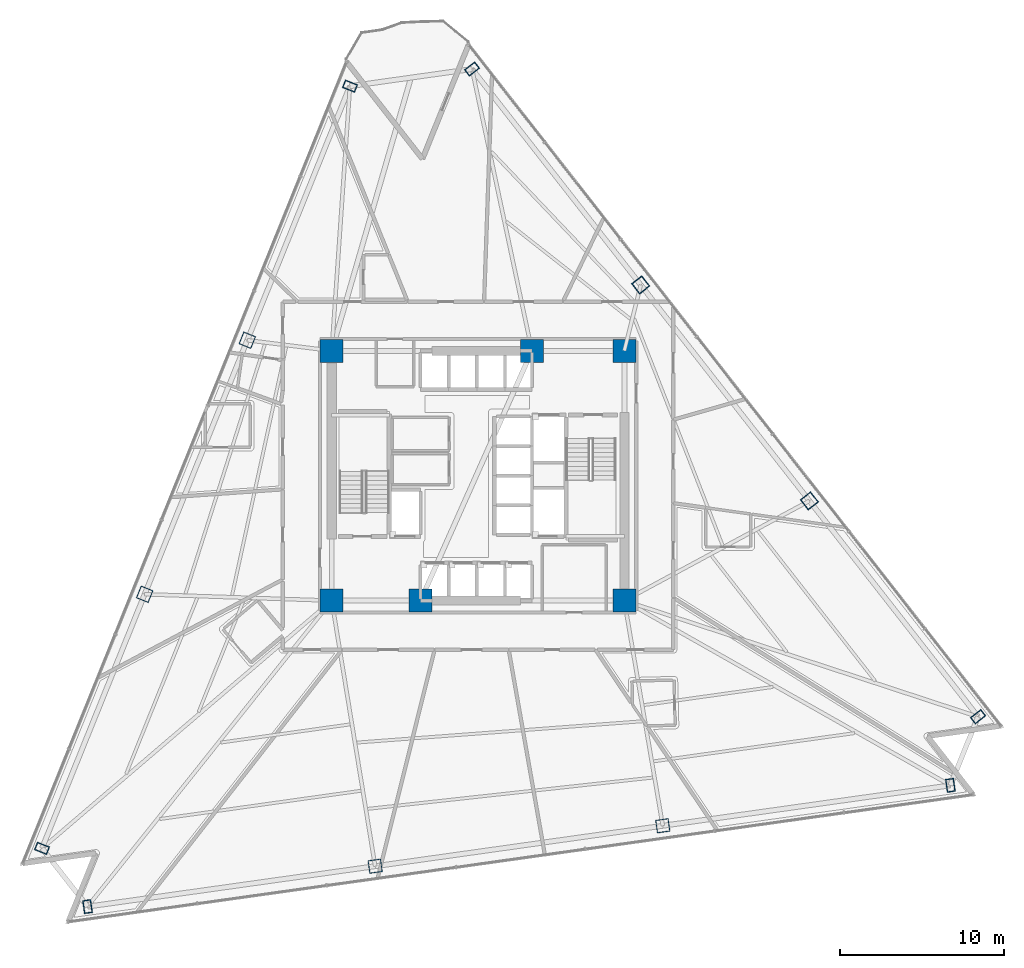
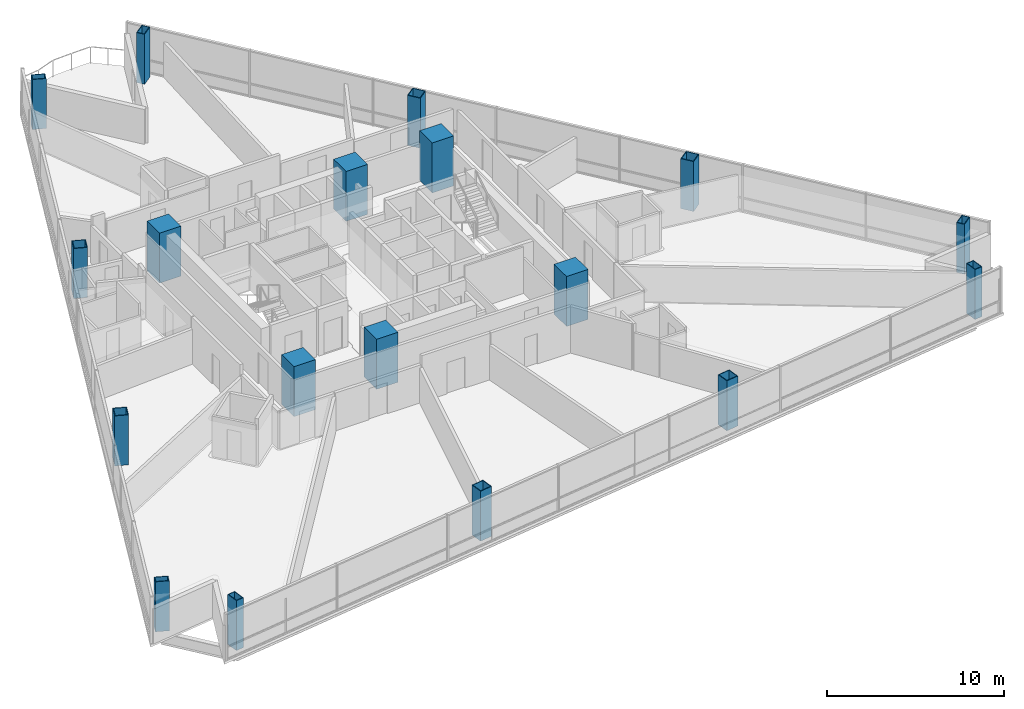
# One storey, part 1 of 15: 18 columns.
"""IFC4 building model written with IfcOpenShell, lengths in metres."""

from ifc_helpers import new_model, si_unit, direction, frame, origin, origin_2d, place, context, subcontext, project, spatial, rectangle, hollow_rectangle, extrude, material, material_profile, profile_set, type_object, element, save


model = new_model("IFC4")

# Units and contexts
model_context = context("Model", 3, precision=1e-05, world=origin(), true_north=direction((0.0, 1.0)))
body_context = subcontext(model_context, "Body", "Model", "MODEL_VIEW")
ifc_project = project(units=[si_unit("LENGTHUNIT", "METRE"), si_unit("AREAUNIT", "SQUARE_METRE"), si_unit("VOLUMEUNIT", "CUBIC_METRE"), si_unit("PLANEANGLEUNIT", "RADIAN"), si_unit("MASSUNIT", "GRAM", prefix="KILO")], contexts=[model_context])

# Site, building, storey
site_placement = place(None, origin())
site = spatial("IfcSite", under=ifc_project, at=site_placement, CompositionType="ELEMENT")
building_placement = place(site_placement, origin())
building = spatial("IfcBuilding", under=site, at=building_placement, Name="Tharavind Bronze Gate", CompositionType="ELEMENT")
storey_placement = place(building_placement, frame((0.0, 0.0, 77.64990234375)))
storey = spatial("IfcBuildingStorey", under=building, at=storey_placement, Name="L19", CompositionType="ELEMENT", Elevation=77.64990234375)

# Columns
ifc_material_1 = material(Name="Steel S460", Category="steel")
ifc_material_profile_1 = material_profile(ifc_material_1, hollow_rectangle(XDim=0.5, YDim=0.800048828125, WallThickness=0.0400390625, at=origin_2d()), Name="RHS800X500X40")
ifc_profile_set_1 = profile_set([ifc_material_profile_1], Name="Steel S460")
column_type_1 = type_object("IfcColumnType", Name="CORNER NOTCH COLUMN RHS800X500", PredefinedType="COLUMN", material=ifc_profile_set_1)
for number, where, z_axis, x_axis, name in (
    (1, (-7.7919921875, 23.69775390625, 0.0), (0.0, 0.0, 1.0), (0.374608211656, 0.927183200754, 0.0), "L19 perimeter column S1C1"),
    (2, (-26.525146484375, -22.66845703125, 0.0), (0.0, 0.0, 1.0), (0.374608211656, 0.927183200754, 0.0), "L19 perimeter column S1C4"),
    (3, (-23.754638671875, -26.21435546875, 0.0), (0.0, 0.0, 1.0), (0.990268068742, 0.13917310096, 0.0), "L19 perimeter column S2C1"),
    (4, (28.737060546875, -18.837158203125, 0.0), (0.0, 0.0, 1.0), (0.990268068742, 0.13917310096, 0.0), "L19 perimeter column S2C4"),
    (5, (30.422607421875, -14.664794921875, 0.0), (0.0, 0.0, 1.0), (-0.615661475326, 0.788010753607, 0.0), "L19 perimeter column S3C1"),
    (6, (-0.364990234375, 24.741455078125, 0.0), (0.0, 0.0, 1.0), (-0.615661475326, 0.788010753607, 0.0), "L19 perimeter column S3C4"),
):
    element("IfcColumn", number, at=place(storey_placement, frame(where, z_axis=z_axis, x_axis=x_axis)), inside=storey, type_object=column_type_1, Name=name, PredefinedType="COLUMN", context=body_context, shape_type="SweptSolid", body=[
        extrude(hollow_rectangle(XDim=0.5, YDim=0.800048828125, WallThickness=0.0400390625, at=origin_2d()), origin(), (0.0, 0.0, 1.0), 3.4501953125),
    ])
ifc_material_2 = material(Name="Concrete C70/85", Category="concrete")
ifc_material_profile_2 = material_profile(ifc_material_2, rectangle(XDim=1.39990234375, YDim=1.39990234375, at=origin_2d()), Name="RCCOL1400")
ifc_profile_set_2 = profile_set([ifc_material_profile_2], Name="Concrete C70/85")
column_type_2 = type_object("IfcColumnType", Name="MEGA CORE COLUMN 1400", PredefinedType="COLUMN", material=ifc_profile_set_2)
for number, where, z_axis, x_axis, name in (
    (7, (-8.89990234375, -7.60009765625, 0.0), (0.0, 0.0, 1.0), (1.0, 0.0, 0.0), "L19 core mega column MC1"),
    (8, (-3.5, -7.60009765625, 0.0), (0.0, 0.0, 1.0), (1.0, 0.0, 0.0), "L19 core mega column MC2"),
    (9, (8.89990234375, -7.60009765625, 0.0), (0.0, 0.0, 1.0), (1.0, 0.0, 0.0), "L19 core mega column MC3"),
    (10, (8.89990234375, 7.60009765625, 0.0), (0.0, 0.0, 1.0), (1.0, 0.0, 0.0), "L19 core mega column MC4"),
    (11, (3.280029296875, 7.60009765625, 0.0), (0.0, 0.0, 1.0), (1.0, 0.0, 0.0), "L19 core mega column MC5"),
    (12, (-8.89990234375, 7.60009765625, 0.0), (0.0, 0.0, 1.0), (1.0, 0.0, 0.0), "L19 core mega column MC6"),
):
    element("IfcColumn", number, at=place(storey_placement, frame(where, z_axis=z_axis, x_axis=x_axis)), inside=storey, type_object=column_type_2, Name=name, PredefinedType="COLUMN", context=body_context, shape_type="SweptSolid", body=[
        extrude(rectangle(XDim=1.39990234375, YDim=1.39990234375, at=origin_2d()), origin(), (0.0, 0.0, 1.0), 3.4501953125),
    ])
ifc_material_profile_3 = material_profile(ifc_material_1, hollow_rectangle(XDim=0.800048828125, YDim=0.800048828125, WallThickness=0.044921875, at=origin_2d()), Name="SHS800X45")
ifc_profile_set_3 = profile_set([ifc_material_profile_3], Name="Steel S460")
column_type_3 = type_object("IfcColumnType", Name="PERIMETER BOX COLUMN SHS800", PredefinedType="COLUMN", material=ifc_profile_set_3)
for number, where, z_axis, x_axis, name in (
    (13, (-14.036376953125, 8.2421875, 0.0), (0.0, 0.0, 1.0), (0.374608211656, 0.927183200754, 0.0), "L19 perimeter column S1C2"),
    (14, (-20.28076171875, -7.212890625, 0.0), (0.0, 0.0, 1.0), (0.374608211656, 0.927183200754, 0.0), "L19 perimeter column S1C3"),
    (15, (-6.25732421875, -23.75537109375, 0.0), (0.0, 0.0, 1.0), (0.990268068742, 0.13917310096, 0.0), "L19 perimeter column S2C2"),
    (16, (11.23974609375, -21.29638671875, 0.0), (0.0, 0.0, 1.0), (0.990268068742, 0.13917310096, 0.0), "L19 perimeter column S2C3"),
    (17, (20.16015625, -1.529296875, 0.0), (0.0, 0.0, 1.0), (-0.615661475326, 0.788010753607, 0.0), "L19 perimeter column S3C2"),
    (18, (9.897705078125, 11.60595703125, 0.0), (0.0, 0.0, 1.0), (-0.615661475326, 0.788010753607, 0.0), "L19 perimeter column S3C3"),
):
    element("IfcColumn", number, at=place(storey_placement, frame(where, z_axis=z_axis, x_axis=x_axis)), inside=storey, type_object=column_type_3, Name=name, PredefinedType="COLUMN", context=body_context, shape_type="SweptSolid", body=[
        extrude(hollow_rectangle(XDim=0.800048828125, YDim=0.800048828125, WallThickness=0.044921875, at=origin_2d()), origin(), (0.0, 0.0, 1.0), 3.4501953125),
    ])

save(model, "model.ifc")
